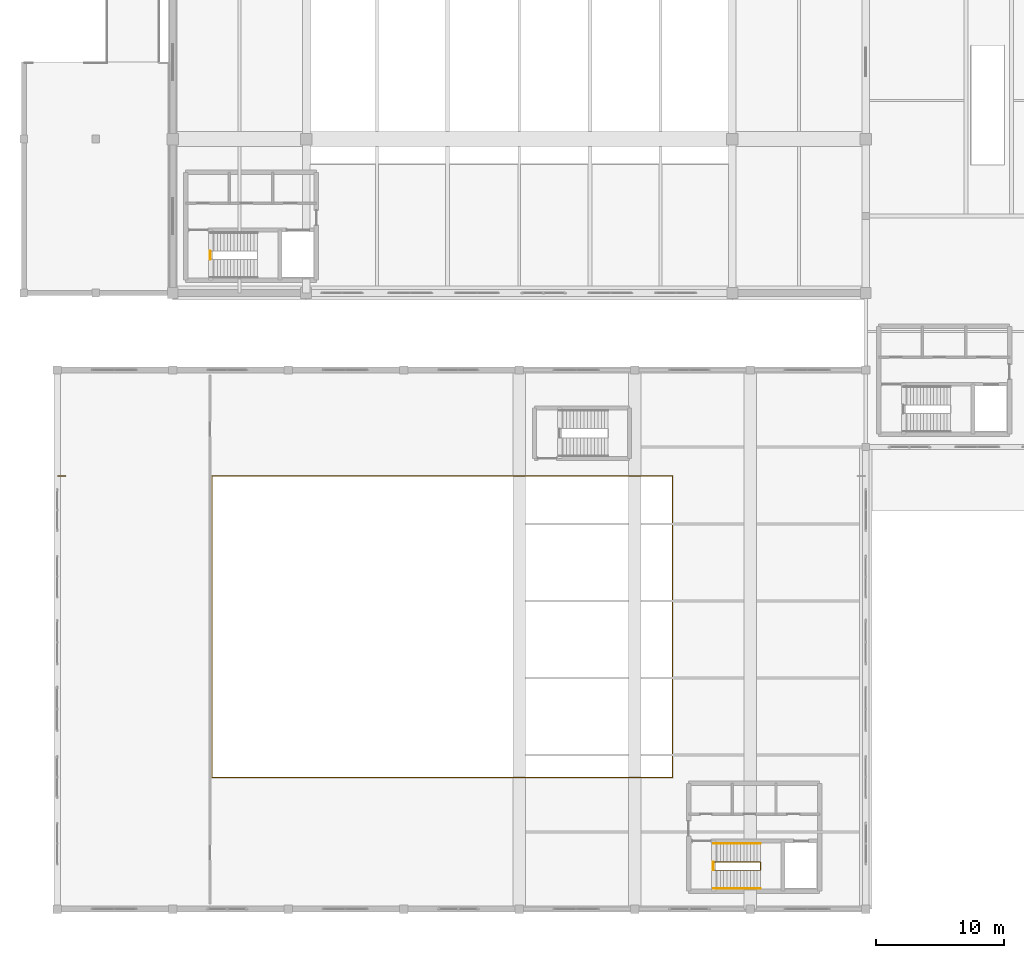
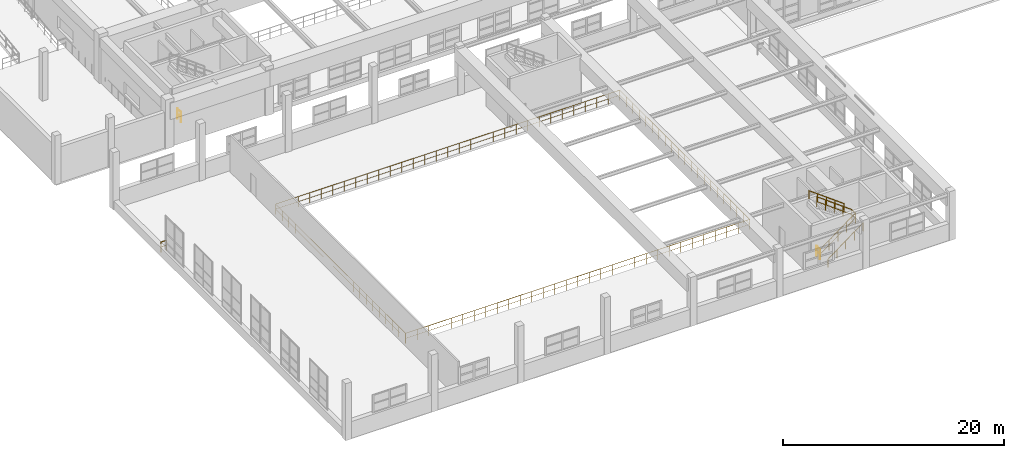
# One storey, part 187 of 197: 8 railings.
"""IFC4 building model written with IfcOpenShell, lengths in metres."""

from ifc_helpers import new_model, si_unit, derived_unit, direction, frame, origin, origin_2d, place, context, subcontext, project, spatial, circle, extrude, material, type_object, element, save


model = new_model("IFC4")

# Units and contexts
model_context = context("Model", 3, precision=1e-05, world=origin(), true_north=direction((0.0, 1.0)))
body_context = subcontext(model_context, "Body", "Model", "MODEL_VIEW")
ifc_project = project(units=[si_unit("LENGTHUNIT", "METRE"), si_unit("AREAUNIT", "SQUARE_METRE"), si_unit("VOLUMEUNIT", "CUBIC_METRE"), si_unit("PLANEANGLEUNIT", "RADIAN"), si_unit("MASSUNIT", "GRAM", prefix="KILO"), derived_unit("THERMALTRANSMITTANCEUNIT", [(si_unit("POWERUNIT", "WATT"), 1), (si_unit("LENGTHUNIT", "METRE"), -2), (si_unit("THERMODYNAMICTEMPERATUREUNIT", "KELVIN"), -1)])], contexts=[model_context])

# Site, building, storey
site_placement = place(None, origin())
site = spatial("IfcSite", under=ifc_project, at=site_placement, CompositionType="ELEMENT")
building_placement = place(site_placement, origin())
building = spatial("IfcBuilding", under=site, at=building_placement, Name="Almenara Railside Exhibition Hall", CompositionType="ELEMENT")
storey_placement = place(building_placement, frame((0.0, 0.0, 5.39990234375)))
storey = spatial("IfcBuildingStorey", under=building, at=storey_placement, Name="L01", CompositionType="ELEMENT", Elevation=5.39990234375)

# Railings
ifc_material_1 = material(Name="Bronze-capped laminated glass balustrade", Category="glass")
railing_type_1 = type_object("IfcRailingType", Name="Gallery Overlook Glazed Balustrade 1150mm", PredefinedType="BALUSTRADE", material=ifc_material_1)
railing_1_placement = place(storey_placement, frame((3.080078125, 33.75, 0.0)))
element("IfcRailing", 1, at=railing_1_placement, inside=storey, type_object=railing_type_1, Name="Guard balustrade 0024", PredefinedType="BALUSTRADE", context=body_context, shape_type="SweptSolid", body=[
    extrude(circle(Radius=0.02392578125, at=origin_2d()), frame((0.0, 0.0, 1.1259765625), z_axis=(1.0, 0.0, 0.0), x_axis=(0.0, 1.0, 0.0)), (0.0, 0.0, 1.0), 0.56982421875),
    extrude(circle(Radius=0.01416015625, at=origin_2d()), frame((0.0, 0.0, 0.574951171875), z_axis=(1.0, 0.0, 0.0), x_axis=(0.0, 1.0, 0.0)), (0.0, 0.0, 1.0), 0.56982421875),
    extrude(circle(Radius=0.02099609375, at=origin_2d()), origin(), (0.0, 0.0, 1.0), 1.101806640625),
    extrude(circle(Radius=0.02099609375, at=origin_2d()), frame((0.56982421875, 0.0, 0.0)), (0.0, 0.0, 1.0), 1.101806640625),
])
railing_2_placement = place(storey_placement, frame((15.050048828125, 10.25, 0.0)))
element("IfcRailing", 2, at=railing_2_placement, inside=storey, type_object=railing_type_1, Name="Guard balustrade 0026", PredefinedType="BALUSTRADE", context=body_context, shape_type="SweptSolid", body=[
    extrude(circle(Radius=0.02392578125, at=origin_2d()), frame((0.0, 0.0, 1.1259765625), z_axis=(1.0, 0.0, 0.0), x_axis=(0.0, 1.0, 0.0)), (0.0, 0.0, 1.0), 35.89990234375),
    extrude(circle(Radius=0.01416015625, at=origin_2d()), frame((0.0, 0.0, 0.574951171875), z_axis=(1.0, 0.0, 0.0), x_axis=(0.0, 1.0, 0.0)), (0.0, 0.0, 1.0), 35.89990234375),
    extrude(circle(Radius=0.02392578125, at=origin_2d()), frame((35.89990234375, 0.0, 1.1259765625), z_axis=(0.0, 1.0, 0.0), x_axis=(-1.0, 0.0, 0.0)), (0.0, 0.0, 1.0), 23.47509765625),
    extrude(circle(Radius=0.01416015625, at=origin_2d()), frame((35.89990234375, 0.0, 0.574951171875), z_axis=(0.0, 1.0, 0.0), x_axis=(-1.0, 0.0, 0.0)), (0.0, 0.0, 1.0), 23.47509765625),
    extrude(circle(Radius=0.02099609375, at=origin_2d()), origin(), (0.0, 0.0, 1.0), 1.101806640625),
    extrude(circle(Radius=0.02099609375, at=origin_2d()), frame((1.19677734375, 0.0, 0.0)), (0.0, 0.0, 1.0), 1.101806640625),
    extrude(circle(Radius=0.02099609375, at=origin_2d()), frame((2.393310546875, 0.0, 0.0)), (0.0, 0.0, 1.0), 1.101806640625),
    extrude(circle(Radius=0.02099609375, at=origin_2d()), frame((3.590087890625, 0.0, 0.0)), (0.0, 0.0, 1.0), 1.101806640625),
    extrude(circle(Radius=0.02099609375, at=origin_2d()), frame((4.78662109375, 0.0, 0.0)), (0.0, 0.0, 1.0), 1.101806640625),
    extrude(circle(Radius=0.02099609375, at=origin_2d()), frame((5.9833984375, 0.0, 0.0)), (0.0, 0.0, 1.0), 1.101806640625),
    extrude(circle(Radius=0.02099609375, at=origin_2d()), frame((7.179931640625, 0.0, 0.0)), (0.0, 0.0, 1.0), 1.101806640625),
    extrude(circle(Radius=0.02099609375, at=origin_2d()), frame((8.376708984375, 0.0, 0.0)), (0.0, 0.0, 1.0), 1.101806640625),
    extrude(circle(Radius=0.02099609375, at=origin_2d()), frame((9.5732421875, 0.0, 0.0)), (0.0, 0.0, 1.0), 1.101806640625),
    extrude(circle(Radius=0.02099609375, at=origin_2d()), frame((10.77001953125, 0.0, 0.0)), (0.0, 0.0, 1.0), 1.101806640625),
    extrude(circle(Radius=0.02099609375, at=origin_2d()), frame((11.966552734375, 0.0, 0.0)), (0.0, 0.0, 1.0), 1.101806640625),
    extrude(circle(Radius=0.02099609375, at=origin_2d()), frame((13.163330078125, 0.0, 0.0)), (0.0, 0.0, 1.0), 1.101806640625),
    extrude(circle(Radius=0.02099609375, at=origin_2d()), frame((14.35986328125, 0.0, 0.0)), (0.0, 0.0, 1.0), 1.101806640625),
    extrude(circle(Radius=0.02099609375, at=origin_2d()), frame((15.556640625, 0.0, 0.0)), (0.0, 0.0, 1.0), 1.101806640625),
    extrude(circle(Radius=0.02099609375, at=origin_2d()), frame((16.753173828125, 0.0, 0.0)), (0.0, 0.0, 1.0), 1.101806640625),
    extrude(circle(Radius=0.02099609375, at=origin_2d()), frame((17.949951171875, 0.0, 0.0)), (0.0, 0.0, 1.0), 1.101806640625),
    extrude(circle(Radius=0.02099609375, at=origin_2d()), frame((19.146728515625, 0.0, 0.0)), (0.0, 0.0, 1.0), 1.101806640625),
    extrude(circle(Radius=0.02099609375, at=origin_2d()), frame((20.34326171875, 0.0, 0.0)), (0.0, 0.0, 1.0), 1.101806640625),
    extrude(circle(Radius=0.02099609375, at=origin_2d()), frame((21.5400390625, 0.0, 0.0)), (0.0, 0.0, 1.0), 1.101806640625),
    extrude(circle(Radius=0.02099609375, at=origin_2d()), frame((22.736572265625, 0.0, 0.0)), (0.0, 0.0, 1.0), 1.101806640625),
    extrude(circle(Radius=0.02099609375, at=origin_2d()), frame((23.933349609375, 0.0, 0.0)), (0.0, 0.0, 1.0), 1.101806640625),
    extrude(circle(Radius=0.02099609375, at=origin_2d()), frame((25.1298828125, 0.0, 0.0)), (0.0, 0.0, 1.0), 1.101806640625),
    extrude(circle(Radius=0.02099609375, at=origin_2d()), frame((26.32666015625, 0.0, 0.0)), (0.0, 0.0, 1.0), 1.101806640625),
    extrude(circle(Radius=0.02099609375, at=origin_2d()), frame((27.523193359375, 0.0, 0.0)), (0.0, 0.0, 1.0), 1.101806640625),
    extrude(circle(Radius=0.02099609375, at=origin_2d()), frame((28.719970703125, 0.0, 0.0)), (0.0, 0.0, 1.0), 1.101806640625),
    extrude(circle(Radius=0.02099609375, at=origin_2d()), frame((29.91650390625, 0.0, 0.0)), (0.0, 0.0, 1.0), 1.101806640625),
    extrude(circle(Radius=0.02099609375, at=origin_2d()), frame((31.11328125, 0.0, 0.0)), (0.0, 0.0, 1.0), 1.101806640625),
    extrude(circle(Radius=0.02099609375, at=origin_2d()), frame((32.309814453125, 0.0, 0.0)), (0.0, 0.0, 1.0), 1.101806640625),
    extrude(circle(Radius=0.02099609375, at=origin_2d()), frame((33.506591796875, 0.0, 0.0)), (0.0, 0.0, 1.0), 1.101806640625),
    extrude(circle(Radius=0.02099609375, at=origin_2d()), frame((34.703125, 0.0, 0.0)), (0.0, 0.0, 1.0), 1.101806640625),
    extrude(circle(Radius=0.02099609375, at=origin_2d()), frame((35.89990234375, 0.0, 0.0)), (0.0, 0.0, 1.0), 1.101806640625),
    extrude(circle(Radius=0.02099609375, at=origin_2d()), frame((35.89990234375, 1.173828125, 0.0)), (0.0, 0.0, 1.0), 1.101806640625),
    extrude(circle(Radius=0.02099609375, at=origin_2d()), frame((35.89990234375, 2.347412109375, 0.0)), (0.0, 0.0, 1.0), 1.101806640625),
    extrude(circle(Radius=0.02099609375, at=origin_2d()), frame((35.89990234375, 3.521240234375, 0.0)), (0.0, 0.0, 1.0), 1.101806640625),
    extrude(circle(Radius=0.02099609375, at=origin_2d()), frame((35.89990234375, 4.695068359375, 0.0)), (0.0, 0.0, 1.0), 1.101806640625),
    extrude(circle(Radius=0.02099609375, at=origin_2d()), frame((35.89990234375, 5.86865234375, 0.0)), (0.0, 0.0, 1.0), 1.101806640625),
    extrude(circle(Radius=0.02099609375, at=origin_2d()), frame((35.89990234375, 7.04248046875, 0.0)), (0.0, 0.0, 1.0), 1.101806640625),
    extrude(circle(Radius=0.02099609375, at=origin_2d()), frame((35.89990234375, 8.21630859375, 0.0)), (0.0, 0.0, 1.0), 1.101806640625),
    extrude(circle(Radius=0.02099609375, at=origin_2d()), frame((35.89990234375, 9.39013671875, 0.0)), (0.0, 0.0, 1.0), 1.101806640625),
    extrude(circle(Radius=0.02099609375, at=origin_2d()), frame((35.89990234375, 10.563720703125, 0.0)), (0.0, 0.0, 1.0), 1.101806640625),
    extrude(circle(Radius=0.02099609375, at=origin_2d()), frame((35.89990234375, 11.737548828125, 0.0)), (0.0, 0.0, 1.0), 1.101806640625),
    extrude(circle(Radius=0.02099609375, at=origin_2d()), frame((35.89990234375, 12.911376953125, 0.0)), (0.0, 0.0, 1.0), 1.101806640625),
    extrude(circle(Radius=0.02099609375, at=origin_2d()), frame((35.89990234375, 14.0849609375, 0.0)), (0.0, 0.0, 1.0), 1.101806640625),
    extrude(circle(Radius=0.02099609375, at=origin_2d()), frame((35.89990234375, 15.2587890625, 0.0)), (0.0, 0.0, 1.0), 1.101806640625),
    extrude(circle(Radius=0.02099609375, at=origin_2d()), frame((35.89990234375, 16.4326171875, 0.0)), (0.0, 0.0, 1.0), 1.101806640625),
    extrude(circle(Radius=0.02099609375, at=origin_2d()), frame((35.89990234375, 17.6064453125, 0.0)), (0.0, 0.0, 1.0), 1.101806640625),
    extrude(circle(Radius=0.02099609375, at=origin_2d()), frame((35.89990234375, 18.780029296875, 0.0)), (0.0, 0.0, 1.0), 1.101806640625),
    extrude(circle(Radius=0.02099609375, at=origin_2d()), frame((35.89990234375, 19.953857421875, 0.0)), (0.0, 0.0, 1.0), 1.101806640625),
    extrude(circle(Radius=0.02099609375, at=origin_2d()), frame((35.89990234375, 21.127685546875, 0.0)), (0.0, 0.0, 1.0), 1.101806640625),
    extrude(circle(Radius=0.02099609375, at=origin_2d()), frame((35.89990234375, 22.30126953125, 0.0)), (0.0, 0.0, 1.0), 1.101806640625),
    extrude(circle(Radius=0.02099609375, at=origin_2d()), frame((35.89990234375, 23.47509765625, 0.0)), (0.0, 0.0, 1.0), 1.101806640625),
])
railing_3_placement = place(storey_placement, frame((50.949951171875, 33.75, 0.0)))
element("IfcRailing", 3, at=railing_3_placement, inside=storey, type_object=railing_type_1, Name="Guard balustrade 0027", PredefinedType="BALUSTRADE", context=body_context, shape_type="SweptSolid", body=[
    extrude(circle(Radius=0.02392578125, at=origin_2d()), frame((0.0, 0.0, 1.1259765625), z_axis=(-1.0, 0.0, 0.0), x_axis=(0.0, -1.0, 0.0)), (0.0, 0.0, 1.0), 35.89990234375),
    extrude(circle(Radius=0.01416015625, at=origin_2d()), frame((0.0, 0.0, 0.574951171875), z_axis=(-1.0, 0.0, 0.0), x_axis=(0.0, -1.0, 0.0)), (0.0, 0.0, 1.0), 35.89990234375),
    extrude(circle(Radius=0.02392578125, at=origin_2d()), frame((-35.89990234375, 0.0, 1.1259765625), z_axis=(0.0, -1.0, 0.0), x_axis=(1.0, 0.0, 0.0)), (0.0, 0.0, 1.0), 23.47509765625),
    extrude(circle(Radius=0.01416015625, at=origin_2d()), frame((-35.89990234375, 0.0, 0.574951171875), z_axis=(0.0, -1.0, 0.0), x_axis=(1.0, 0.0, 0.0)), (0.0, 0.0, 1.0), 23.47509765625),
    extrude(circle(Radius=0.02099609375, at=origin_2d()), origin(), (0.0, 0.0, 1.0), 1.101806640625),
    extrude(circle(Radius=0.02099609375, at=origin_2d()), frame((-1.19677734375, 0.0, 0.0)), (0.0, 0.0, 1.0), 1.101806640625),
    extrude(circle(Radius=0.02099609375, at=origin_2d()), frame((-2.393310546875, 0.0, 0.0)), (0.0, 0.0, 1.0), 1.101806640625),
    extrude(circle(Radius=0.02099609375, at=origin_2d()), frame((-3.590087890625, 0.0, 0.0)), (0.0, 0.0, 1.0), 1.101806640625),
    extrude(circle(Radius=0.02099609375, at=origin_2d()), frame((-4.78662109375, 0.0, 0.0)), (0.0, 0.0, 1.0), 1.101806640625),
    extrude(circle(Radius=0.02099609375, at=origin_2d()), frame((-5.9833984375, 0.0, 0.0)), (0.0, 0.0, 1.0), 1.101806640625),
    extrude(circle(Radius=0.02099609375, at=origin_2d()), frame((-7.179931640625, 0.0, 0.0)), (0.0, 0.0, 1.0), 1.101806640625),
    extrude(circle(Radius=0.02099609375, at=origin_2d()), frame((-8.376708984375, 0.0, 0.0)), (0.0, 0.0, 1.0), 1.101806640625),
    extrude(circle(Radius=0.02099609375, at=origin_2d()), frame((-9.5732421875, 0.0, 0.0)), (0.0, 0.0, 1.0), 1.101806640625),
    extrude(circle(Radius=0.02099609375, at=origin_2d()), frame((-10.77001953125, 0.0, 0.0)), (0.0, 0.0, 1.0), 1.101806640625),
    extrude(circle(Radius=0.02099609375, at=origin_2d()), frame((-11.966552734375, 0.0, 0.0)), (0.0, 0.0, 1.0), 1.101806640625),
    extrude(circle(Radius=0.02099609375, at=origin_2d()), frame((-13.163330078125, 0.0, 0.0)), (0.0, 0.0, 1.0), 1.101806640625),
    extrude(circle(Radius=0.02099609375, at=origin_2d()), frame((-14.35986328125, 0.0, 0.0)), (0.0, 0.0, 1.0), 1.101806640625),
    extrude(circle(Radius=0.02099609375, at=origin_2d()), frame((-15.556640625, 0.0, 0.0)), (0.0, 0.0, 1.0), 1.101806640625),
    extrude(circle(Radius=0.02099609375, at=origin_2d()), frame((-16.753173828125, 0.0, 0.0)), (0.0, 0.0, 1.0), 1.101806640625),
    extrude(circle(Radius=0.02099609375, at=origin_2d()), frame((-17.949951171875, 0.0, 0.0)), (0.0, 0.0, 1.0), 1.101806640625),
    extrude(circle(Radius=0.02099609375, at=origin_2d()), frame((-19.146728515625, 0.0, 0.0)), (0.0, 0.0, 1.0), 1.101806640625),
    extrude(circle(Radius=0.02099609375, at=origin_2d()), frame((-20.34326171875, 0.0, 0.0)), (0.0, 0.0, 1.0), 1.101806640625),
    extrude(circle(Radius=0.02099609375, at=origin_2d()), frame((-21.5400390625, 0.0, 0.0)), (0.0, 0.0, 1.0), 1.101806640625),
    extrude(circle(Radius=0.02099609375, at=origin_2d()), frame((-22.736572265625, 0.0, 0.0)), (0.0, 0.0, 1.0), 1.101806640625),
    extrude(circle(Radius=0.02099609375, at=origin_2d()), frame((-23.933349609375, 0.0, 0.0)), (0.0, 0.0, 1.0), 1.101806640625),
    extrude(circle(Radius=0.02099609375, at=origin_2d()), frame((-25.1298828125, 0.0, 0.0)), (0.0, 0.0, 1.0), 1.101806640625),
    extrude(circle(Radius=0.02099609375, at=origin_2d()), frame((-26.32666015625, 0.0, 0.0)), (0.0, 0.0, 1.0), 1.101806640625),
    extrude(circle(Radius=0.02099609375, at=origin_2d()), frame((-27.523193359375, 0.0, 0.0)), (0.0, 0.0, 1.0), 1.101806640625),
    extrude(circle(Radius=0.02099609375, at=origin_2d()), frame((-28.719970703125, 0.0, 0.0)), (0.0, 0.0, 1.0), 1.101806640625),
    extrude(circle(Radius=0.02099609375, at=origin_2d()), frame((-29.91650390625, 0.0, 0.0)), (0.0, 0.0, 1.0), 1.101806640625),
    extrude(circle(Radius=0.02099609375, at=origin_2d()), frame((-31.11328125, 0.0, 0.0)), (0.0, 0.0, 1.0), 1.101806640625),
    extrude(circle(Radius=0.02099609375, at=origin_2d()), frame((-32.309814453125, 0.0, 0.0)), (0.0, 0.0, 1.0), 1.101806640625),
    extrude(circle(Radius=0.02099609375, at=origin_2d()), frame((-33.506591796875, 0.0, 0.0)), (0.0, 0.0, 1.0), 1.101806640625),
    extrude(circle(Radius=0.02099609375, at=origin_2d()), frame((-34.703125, 0.0, 0.0)), (0.0, 0.0, 1.0), 1.101806640625),
    extrude(circle(Radius=0.02099609375, at=origin_2d()), frame((-35.89990234375, 0.0, 0.0)), (0.0, 0.0, 1.0), 1.101806640625),
    extrude(circle(Radius=0.02099609375, at=origin_2d()), frame((-35.89990234375, -1.173828125, 0.0)), (0.0, 0.0, 1.0), 1.101806640625),
    extrude(circle(Radius=0.02099609375, at=origin_2d()), frame((-35.89990234375, -2.347412109375, 0.0)), (0.0, 0.0, 1.0), 1.101806640625),
    extrude(circle(Radius=0.02099609375, at=origin_2d()), frame((-35.89990234375, -3.521240234375, 0.0)), (0.0, 0.0, 1.0), 1.101806640625),
    extrude(circle(Radius=0.02099609375, at=origin_2d()), frame((-35.89990234375, -4.695068359375, 0.0)), (0.0, 0.0, 1.0), 1.101806640625),
    extrude(circle(Radius=0.02099609375, at=origin_2d()), frame((-35.89990234375, -5.86865234375, 0.0)), (0.0, 0.0, 1.0), 1.101806640625),
    extrude(circle(Radius=0.02099609375, at=origin_2d()), frame((-35.89990234375, -7.04248046875, 0.0)), (0.0, 0.0, 1.0), 1.101806640625),
    extrude(circle(Radius=0.02099609375, at=origin_2d()), frame((-35.89990234375, -8.21630859375, 0.0)), (0.0, 0.0, 1.0), 1.101806640625),
    extrude(circle(Radius=0.02099609375, at=origin_2d()), frame((-35.89990234375, -9.39013671875, 0.0)), (0.0, 0.0, 1.0), 1.101806640625),
    extrude(circle(Radius=0.02099609375, at=origin_2d()), frame((-35.89990234375, -10.563720703125, 0.0)), (0.0, 0.0, 1.0), 1.101806640625),
    extrude(circle(Radius=0.02099609375, at=origin_2d()), frame((-35.89990234375, -11.737548828125, 0.0)), (0.0, 0.0, 1.0), 1.101806640625),
    extrude(circle(Radius=0.02099609375, at=origin_2d()), frame((-35.89990234375, -12.911376953125, 0.0)), (0.0, 0.0, 1.0), 1.101806640625),
    extrude(circle(Radius=0.02099609375, at=origin_2d()), frame((-35.89990234375, -14.0849609375, 0.0)), (0.0, 0.0, 1.0), 1.101806640625),
    extrude(circle(Radius=0.02099609375, at=origin_2d()), frame((-35.89990234375, -15.2587890625, 0.0)), (0.0, 0.0, 1.0), 1.101806640625),
    extrude(circle(Radius=0.02099609375, at=origin_2d()), frame((-35.89990234375, -16.4326171875, 0.0)), (0.0, 0.0, 1.0), 1.101806640625),
    extrude(circle(Radius=0.02099609375, at=origin_2d()), frame((-35.89990234375, -17.6064453125, 0.0)), (0.0, 0.0, 1.0), 1.101806640625),
    extrude(circle(Radius=0.02099609375, at=origin_2d()), frame((-35.89990234375, -18.780029296875, 0.0)), (0.0, 0.0, 1.0), 1.101806640625),
    extrude(circle(Radius=0.02099609375, at=origin_2d()), frame((-35.89990234375, -19.953857421875, 0.0)), (0.0, 0.0, 1.0), 1.101806640625),
    extrude(circle(Radius=0.02099609375, at=origin_2d()), frame((-35.89990234375, -21.127685546875, 0.0)), (0.0, 0.0, 1.0), 1.101806640625),
    extrude(circle(Radius=0.02099609375, at=origin_2d()), frame((-35.89990234375, -22.30126953125, 0.0)), (0.0, 0.0, 1.0), 1.101806640625),
    extrude(circle(Radius=0.02099609375, at=origin_2d()), frame((-35.89990234375, -23.47509765625, 0.0)), (0.0, 0.0, 1.0), 1.101806640625),
])
ifc_material_2 = material(Name="Bronze-finished tubular steel handrail", Category="steel")
railing_type_2 = type_object("IfcRailingType", Name="Stair Pitch Handrail 920mm", PredefinedType="HANDRAIL", material=ifc_material_2)
railing_4_placement = place(storey_placement, frame((54.14990234375, 1.60009765625, 0.0)))
element("IfcRailing", 4, at=railing_4_placement, inside=storey, type_object=railing_type_2, Name="HR-L01-0065", PredefinedType="HANDRAIL", context=body_context, shape_type="SweptSolid", body=[
    extrude(circle(Radius=0.02392578125, at=origin_2d()), frame((0.0, 0.0, 0.89599609375), z_axis=(0.803919029911, 0.0, 0.594738760589), x_axis=(0.0, 1.0, 0.0)), (0.0, 0.0, 1.0), 4.5400390625),
    extrude(circle(Radius=0.02099609375, at=origin_2d()), origin(), (0.0, 0.0, 1.0), 0.871826171875),
    extrude(circle(Radius=0.02099609375, at=origin_2d()), frame((0.91259765625, 0.0, 0.675048828125)), (0.0, 0.0, 1.0), 0.871826171875),
    extrude(circle(Radius=0.02099609375, at=origin_2d()), frame((1.824951171875, 0.0, 1.35009765625)), (0.0, 0.0, 1.0), 0.871826171875),
    extrude(circle(Radius=0.02099609375, at=origin_2d()), frame((2.7373046875, 0.0, 2.025146484375)), (0.0, 0.0, 1.0), 0.871826171875),
    extrude(circle(Radius=0.02099609375, at=origin_2d()), frame((3.64990234375, 0.0, 2.7001953125)), (0.0, 0.0, 1.0), 0.871826171875),
])
railing_5_placement = place(storey_placement, frame((57.7998046875, 5.10009765625, 2.7001953125)))
element("IfcRailing", 5, at=railing_5_placement, inside=storey, type_object=railing_type_2, Name="HR-L01-0066", PredefinedType="HANDRAIL", context=body_context, shape_type="SweptSolid", body=[
    extrude(circle(Radius=0.02392578125, at=origin_2d()), frame((0.0, 0.0, 0.89599609375), z_axis=(-0.803944740431, 0.0, 0.594704005647), x_axis=(0.0, -1.0, 0.0)), (0.0, 0.0, 1.0), 4.5400390625),
    extrude(circle(Radius=0.02099609375, at=origin_2d()), origin(), (0.0, 0.0, 1.0), 0.871826171875),
    extrude(circle(Radius=0.02099609375, at=origin_2d()), frame((-0.91259765625, 0.0, 0.675048828125)), (0.0, 0.0, 1.0), 0.871826171875),
    extrude(circle(Radius=0.02099609375, at=origin_2d()), frame((-1.824951171875, 0.0, 1.35009765625)), (0.0, 0.0, 1.0), 0.871826171875),
    extrude(circle(Radius=0.02099609375, at=origin_2d()), frame((-2.7373046875, 0.0, 2.02490234375)), (0.0, 0.0, 1.0), 0.871826171875),
    extrude(circle(Radius=0.02099609375, at=origin_2d()), frame((-3.64990234375, 0.0, 2.699951171875)), (0.0, 0.0, 1.0), 0.871826171875),
])
ifc_material_3 = material(Name="Dark wrought-iron stair balustrade")
railing_type_3 = type_object("IfcRailingType", Name="Stair Well Guard Rail 1120mm", PredefinedType="BALUSTRADE", material=ifc_material_3)
railing_6_placement = place(storey_placement, frame((14.919921875, 50.6298828125, 0.0)))
element("IfcRailing", 6, at=railing_6_placement, inside=storey, type_object=railing_type_3, Name="SG-L01-0004", PredefinedType="BALUSTRADE", context=body_context, shape_type="SweptSolid", body=[
    extrude(circle(Radius=0.02392578125, at=origin_2d()), frame((0.0, 0.0, 1.09619140625), z_axis=(0.0, 1.0, 0.0), x_axis=(-1.0, 0.0, 0.0)), (0.0, 0.0, 1.0), 0.64013671875),
    extrude(circle(Radius=0.01416015625, at=origin_2d()), frame((0.0, 0.0, 0.56005859375), z_axis=(0.0, 1.0, 0.0), x_axis=(-1.0, 0.0, 0.0)), (0.0, 0.0, 1.0), 0.64013671875),
    extrude(circle(Radius=0.02099609375, at=origin_2d()), origin(), (0.0, 0.0, 1.0), 1.072021484375),
    extrude(circle(Radius=0.02099609375, at=origin_2d()), frame((0.0, 0.64013671875, 0.0)), (0.0, 0.0, 1.0), 1.072021484375),
])
railing_7_placement = place(storey_placement, frame((54.1201171875, 3.030029296875, 0.0)))
element("IfcRailing", 7, at=railing_7_placement, inside=storey, type_object=railing_type_3, Name="SG-L01-0064", PredefinedType="BALUSTRADE", context=body_context, shape_type="SweptSolid", body=[
    extrude(circle(Radius=0.02392578125, at=origin_2d()), frame((0.0, 0.0, 1.09619140625), z_axis=(0.0, 1.0, 0.0), x_axis=(-1.0, 0.0, 0.0)), (0.0, 0.0, 1.0), 0.639892578125),
    extrude(circle(Radius=0.01416015625, at=origin_2d()), frame((0.0, 0.0, 0.56005859375), z_axis=(0.0, 1.0, 0.0), x_axis=(-1.0, 0.0, 0.0)), (0.0, 0.0, 1.0), 0.639892578125),
    extrude(circle(Radius=0.02099609375, at=origin_2d()), origin(), (0.0, 0.0, 1.0), 1.072021484375),
    extrude(circle(Radius=0.02099609375, at=origin_2d()), frame((0.0, 0.639892578125, 0.0)), (0.0, 0.0, 1.0), 1.072021484375),
])
railing_8_placement = place(storey_placement, frame((54.14990234375, 3.030029296875, 0.0)))
element("IfcRailing", 8, at=railing_8_placement, inside=storey, type_object=railing_type_3, Name="SG-L01-0067", PredefinedType="BALUSTRADE", context=body_context, shape_type="SweptSolid", body=[
    extrude(circle(Radius=0.02392578125, at=origin_2d()), frame((0.0, 0.0, 1.09619140625), z_axis=(0.803919029911, 0.0, 0.594738760589), x_axis=(0.0, 1.0, 0.0)), (0.0, 0.0, 1.0), 4.5400390625),
    extrude(circle(Radius=0.01416015625, at=origin_2d()), frame((0.0, 0.0, 0.56005859375), z_axis=(0.803919029911, 0.0, 0.594738760589), x_axis=(0.0, 1.0, 0.0)), (0.0, 0.0, 1.0), 4.5400390625),
    extrude(circle(Radius=0.02392578125, at=origin_2d()), frame((3.64990234375, 0.0, 3.79638671875), z_axis=(0.0, 1.0, 0.0), x_axis=(-1.0, 0.0, 0.0)), (0.0, 0.0, 1.0), 0.639892578125),
    extrude(circle(Radius=0.01416015625, at=origin_2d()), frame((3.64990234375, 0.0, 3.26025390625), z_axis=(0.0, 1.0, 0.0), x_axis=(-1.0, 0.0, 0.0)), (0.0, 0.0, 1.0), 0.639892578125),
    extrude(circle(Radius=0.02392578125, at=origin_2d()), frame((3.64990234375, 0.639892578125, 3.79638671875), z_axis=(-0.803944740431, 0.0, 0.594704005647), x_axis=(0.0, -1.0, 0.0)), (0.0, 0.0, 1.0), 4.5400390625),
    extrude(circle(Radius=0.01416015625, at=origin_2d()), frame((3.64990234375, 0.639892578125, 3.26025390625), z_axis=(-0.803944740431, 0.0, 0.594704005647), x_axis=(0.0, -1.0, 0.0)), (0.0, 0.0, 1.0), 4.5400390625),
    extrude(circle(Radius=0.02099609375, at=origin_2d()), origin(), (0.0, 0.0, 1.0), 1.072021484375),
    extrude(circle(Radius=0.02099609375, at=origin_2d()), frame((0.91259765625, 0.0, 0.675048828125)), (0.0, 0.0, 1.0), 1.072021484375),
    extrude(circle(Radius=0.02099609375, at=origin_2d()), frame((1.824951171875, 0.0, 1.35009765625)), (0.0, 0.0, 1.0), 1.072021484375),
    extrude(circle(Radius=0.02099609375, at=origin_2d()), frame((2.7373046875, 0.0, 2.025146484375)), (0.0, 0.0, 1.0), 1.072021484375),
    extrude(circle(Radius=0.02099609375, at=origin_2d()), frame((3.64990234375, 0.0, 2.7001953125)), (0.0, 0.0, 1.0), 1.072021484375),
    extrude(circle(Radius=0.02099609375, at=origin_2d()), frame((3.64990234375, 0.639892578125, 2.7001953125)), (0.0, 0.0, 1.0), 1.072021484375),
    extrude(circle(Radius=0.02099609375, at=origin_2d()), frame((2.7373046875, 0.639892578125, 3.375244140625)), (0.0, 0.0, 1.0), 1.072021484375),
    extrude(circle(Radius=0.02099609375, at=origin_2d()), frame((1.824951171875, 0.639892578125, 4.05029296875)), (0.0, 0.0, 1.0), 1.072021484375),
    extrude(circle(Radius=0.02099609375, at=origin_2d()), frame((0.91259765625, 0.639892578125, 4.72509765625)), (0.0, 0.0, 1.0), 1.072021484375),
    extrude(circle(Radius=0.02099609375, at=origin_2d()), frame((0.0, 0.639892578125, 5.400146484375)), (0.0, 0.0, 1.0), 1.072021484375),
])

save(model, "model.ifc")
